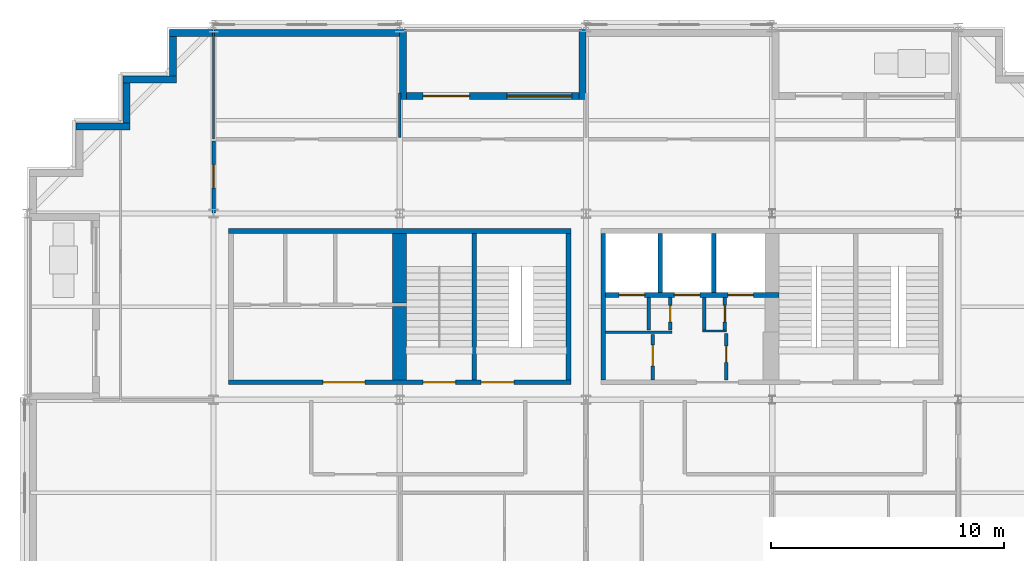
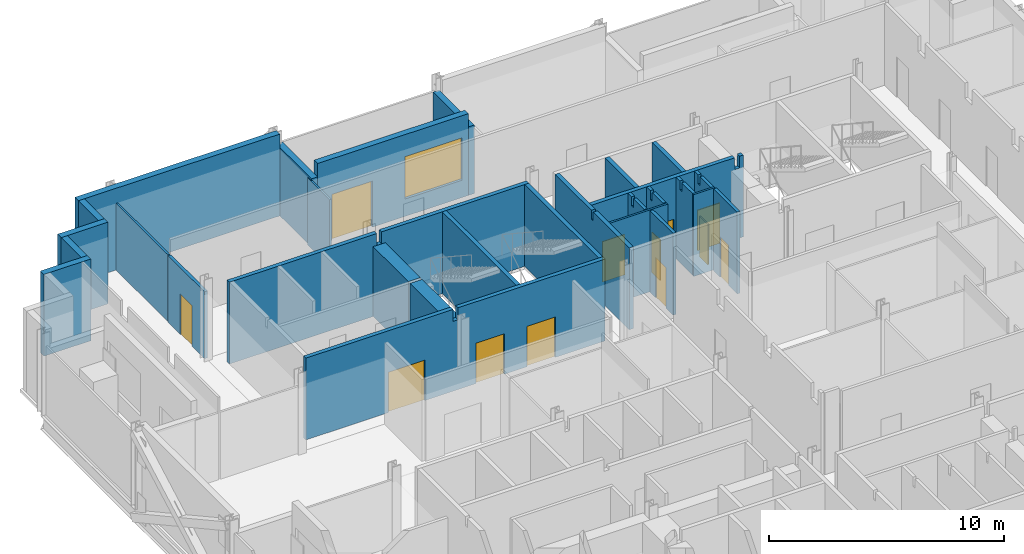
# One storey, part 10 of 15: 29 walls, 12 doors, 1 window, 13 openings.
"""IFC4 building model written with IfcOpenShell, lengths in metres."""

from ifc_helpers import new_model, si_unit, direction, frame, frame_2d, origin, place, context, subcontext, project, spatial, polyline, rectangle, outline, extrude, material, layer, layer_set, type_object, element, fill, save


model = new_model("IFC4")

# Units and contexts
model_context = context("Model", 3, precision=1e-05, world=origin(), true_north=direction((0.0, 1.0)))
body_context = subcontext(model_context, "Body", "Model", "MODEL_VIEW")
ifc_project = project(units=[si_unit("LENGTHUNIT", "METRE"), si_unit("AREAUNIT", "SQUARE_METRE"), si_unit("VOLUMEUNIT", "CUBIC_METRE"), si_unit("PLANEANGLEUNIT", "RADIAN"), si_unit("MASSUNIT", "GRAM", prefix="KILO")], contexts=[model_context])

# Site, building, storey
site_placement = place(None, origin())
site = spatial("IfcSite", under=ifc_project, at=site_placement, CompositionType="ELEMENT")
building_placement = place(site_placement, origin())
building = spatial("IfcBuilding", under=site, at=building_placement, Name="Immortelle Media Tower", CompositionType="ELEMENT")
storey_placement = place(building_placement, frame((0.0, 0.0, 87.60009765625)))
storey = spatial("IfcBuildingStorey", under=building, at=storey_placement, Name="L16", CompositionType="ELEMENT", Elevation=87.60009765625)

# Walls
ifc_material_1 = material(Name="Fire-rated gypsum board", Category="gypsum")
ifc_layer_1 = layer(ifc_material_1, 0.02490234375)
ifc_material_2 = material(Name="Steel ASTM A653 SS Gr 50 stud frame with mineral wool", Category="steel")
ifc_layer_2 = layer(ifc_material_2, 0.050048828125)
ifc_layer_3 = layer(ifc_material_1, 0.02490234375)
ifc_layer_set_1 = layer_set([ifc_layer_1, ifc_layer_2, ifc_layer_3], Name="Steel ASTM A653 SS Gr 50 stud frame with mineral wool")
wall_type_1 = type_object("IfcWallType", Name="Core partition 100", PredefinedType="PARTITIONING", material=ifc_layer_set_1)
wall_1_placement = place(storey_placement, frame((24.85009765625, 34.89990234375, 0.0), z_axis=(0.0, 0.0, 1.0), x_axis=(1.0, 0.0, 0.0)))
element("IfcWall", 1, at=wall_1_placement, inside=storey, type_object=wall_type_1, Name="Core partition NE", PredefinedType="PARTITIONING", context=body_context, shape_type="SweptSolid", body=[
    extrude(rectangle(XDim=2.849853515625, YDim=0.10009765625, at=frame_2d((1.4248046875, 0.0))), origin(), (0.0, 0.0, 1.0), 4.25),
])
wall_2_placement = place(storey_placement, frame((29.0, 34.949951171875, 0.0), z_axis=(0.0, 0.0, 1.0), x_axis=(1.0, 0.0, 0.0)))
element("IfcWall", 2, at=wall_2_placement, inside=storey, type_object=wall_type_1, Name="Core partition NE", PredefinedType="PARTITIONING", context=body_context, shape_type="SweptSolid", body=[
    extrude(rectangle(XDim=1.050048828125, YDim=0.10009765625, at=frame_2d((0.52490234375, 0.0))), origin(), (0.0, 0.0, 1.0), 4.25),
])
ifc_layer_4 = layer(ifc_material_1, 0.02490234375)
ifc_layer_5 = layer(ifc_material_2, 0.10009765625)
ifc_layer_6 = layer(ifc_material_1, 0.02490234375)
ifc_layer_set_2 = layer_set([ifc_layer_4, ifc_layer_5, ifc_layer_6], Name="Steel ASTM A653 SS Gr 50 stud frame with mineral wool")
wall_type_2 = type_object("IfcWallType", Name="Core partition 150", PredefinedType="PARTITIONING", material=ifc_layer_set_2)
wall_3_placement = place(storey_placement, frame((26.699951171875, 35.0, 0.0), z_axis=(0.0, 0.0, 1.0), x_axis=(0.0, 1.0, 0.0)))
element("IfcWall", 3, at=wall_3_placement, inside=storey, type_object=wall_type_2, Name="Core partition NE", PredefinedType="PARTITIONING", context=body_context, shape_type="SweptSolid", body=[
    extrude(outline(polyline([(0.0, 0.0), (1.39990234375, 0.0), (1.39990234375, 4.25), (1.08154296875, 4.25), (1.08056640625, 3.788818359375), (0.91943359375, 3.788818359375), (0.91845703125, 4.25), (0.0, 4.25), (0.0, 0.0)])), frame((0.0, 0.074951171875, 0.0), z_axis=(0.0, -1.0, 0.0), x_axis=(1.0, 0.0, 0.0)), (0.0, 0.0, 1.0), 0.14990234375),
])

# Wall, opening, door
wall_4_placement = place(storey_placement, frame((26.875, 32.85009765625, 0.0), z_axis=(0.0, 0.0, 1.0), x_axis=(0.0, 1.0, 0.0)))
wall_4 = element("IfcWall", 4, at=wall_4_placement, inside=storey, type_object=wall_type_2, Name="Core partition NE", PredefinedType="PARTITIONING", context=body_context, shape_type="SweptSolid", body=[
    extrude(rectangle(XDim=1.949951171875, YDim=0.14990234375, at=frame_2d((0.97509765625, 0.0))), origin(), (0.0, 0.0, 1.0), 4.25),
])
opening_1_placement = place(wall_4_placement, frame((0.60009765625, 0.0, 0.0)))
opening_1 = element("IfcOpeningElement", 5, at=opening_1_placement, cuts=wall_4, Name="Opening N5-K031", PredefinedType="OPENING", context=body_context, shape_type="SweptSolid", body=[
    extrude(rectangle(XDim=0.89990234375, YDim=2.10009765625, at=frame_2d((0.449951171875, 1.050048828125))), frame((0.0, 0.0849609375, 0.0), z_axis=(0.0, -1.0, 0.0), x_axis=(1.0, 0.0, 0.0)), (0.0, 0.0, 1.0), 0.169921875),
])
ifc_material_3 = material(Name="Galvanised steel door leaf and frame ASTM A653", Category="steel")
door_type_1 = type_object("IfcDoorType", Name="Service door 900 x 2100", OperationType="NOTDEFINED", PredefinedType="NOTDEFINED", material=ifc_material_3)
door_1_placement = place(opening_1_placement, origin())
door_1 = element("IfcDoor", 6, at=door_1_placement, inside=storey, type_object=door_type_1, Name="Service N5-K031", OperationType="SINGLE_SWING_LEFT", OverallHeight=2.10009765625, OverallWidth=0.89990234375, PredefinedType="NOTDEFINED", context=body_context, shape_type="SweptSolid", body=[
    extrude(rectangle(XDim=0.89990234375, YDim=2.10009765625, at=frame_2d((0.449951171875, 1.050048828125))), frame((0.0, 0.02490234375, 0.0), z_axis=(0.0, -1.0, 0.0), x_axis=(1.0, 0.0, 0.0)), (0.0, 0.0, 1.0), 0.050048828125),
])
fill(opening_1, door_1)

wall_5_placement = place(storey_placement, frame((27.625, 35.0, 0.0), z_axis=(0.0, 0.0, 1.0), x_axis=(0.0, 1.0, 0.0)))
wall_5 = element("IfcWall", 7, at=wall_5_placement, inside=storey, type_object=wall_type_2, Name="Core partition NE", PredefinedType="PARTITIONING", context=body_context, shape_type="SweptSolid", body=[
    extrude(outline(polyline([(0.0, 0.0), (1.39990234375, 0.0), (1.39990234375, 4.25), (1.08154296875, 4.25), (1.08056640625, 3.788818359375), (0.91943359375, 3.788818359375), (0.91845703125, 4.25), (0.0, 4.25), (0.0, 0.0)])), frame((0.0, 0.074951171875, 0.0), z_axis=(0.0, -1.0, 0.0), x_axis=(1.0, 0.0, 0.0)), (0.0, 0.0, 1.0), 0.14990234375),
])
opening_2_placement = place(wall_5_placement, frame((0.35009765625, 0.0, 0.0)))
opening_2 = element("IfcOpeningElement", 8, at=opening_2_placement, cuts=wall_5, Name="Opening N5-K032", PredefinedType="OPENING", context=body_context, shape_type="SweptSolid", body=[
    extrude(rectangle(XDim=0.699951171875, YDim=2.10009765625, at=frame_2d((0.35009765625, 1.050048828125))), frame((0.0, 0.0849609375, 0.0), z_axis=(0.0, -1.0, 0.0), x_axis=(1.0, 0.0, 0.0)), (0.0, 0.0, 1.0), 0.169921875),
])
door_type_2 = type_object("IfcDoorType", Name="Service door 700 x 2100", OperationType="NOTDEFINED", PredefinedType="NOTDEFINED", material=ifc_material_3)
door_2_placement = place(opening_2_placement, origin())
door_2 = element("IfcDoor", 9, at=door_2_placement, inside=storey, type_object=door_type_2, Name="Service N5-K032", OperationType="SINGLE_SWING_LEFT", OverallHeight=2.10009765625, OverallWidth=0.699951171875, PredefinedType="NOTDEFINED", context=body_context, shape_type="SweptSolid", body=[
    extrude(rectangle(XDim=0.699951171875, YDim=2.10009765625, at=frame_2d((0.35009765625, 1.050048828125))), frame((0.0, 0.02490234375, 0.0), z_axis=(0.0, -1.0, 0.0), x_axis=(1.0, 0.0, 0.0)), (0.0, 0.0, 1.0), 0.050048828125),
])
fill(opening_2, door_2)

# Wall
wall_6_placement = place(storey_placement, frame((29.074951171875, 35.0, 0.0), z_axis=(0.0, 0.0, 1.0), x_axis=(0.0, 1.0, 0.0)))
element("IfcWall", 10, at=wall_6_placement, inside=storey, type_object=wall_type_2, Name="Core partition NE", PredefinedType="PARTITIONING", context=body_context, shape_type="SweptSolid", body=[
    extrude(outline(polyline([(0.0, 0.0), (1.39990234375, 0.0), (1.39990234375, 4.25), (1.08154296875, 4.25), (1.08056640625, 3.788818359375), (0.91943359375, 3.788818359375), (0.91845703125, 4.25), (0.0, 4.25), (0.0, 0.0)])), frame((0.0, 0.074951171875, 0.0), z_axis=(0.0, -1.0, 0.0), x_axis=(1.0, 0.0, 0.0)), (0.0, 0.0, 1.0), 0.14990234375),
])

# Wall, opening, door
wall_7_placement = place(storey_placement, frame((29.97509765625, 35.0, 0.0), z_axis=(0.0, 0.0, 1.0), x_axis=(0.0, 1.0, 0.0)))
wall_7 = element("IfcWall", 11, at=wall_7_placement, inside=storey, type_object=wall_type_2, Name="Core partition NE", PredefinedType="PARTITIONING", context=body_context, shape_type="SweptSolid", body=[
    extrude(outline(polyline([(0.0, 0.0), (1.39990234375, 0.0), (1.39990234375, 4.25), (1.08154296875, 4.25), (1.08056640625, 3.788818359375), (0.91943359375, 3.788818359375), (0.91845703125, 4.25), (0.0, 4.25), (0.0, 0.0)])), frame((0.0, 0.074951171875, 0.0), z_axis=(0.0, -1.0, 0.0), x_axis=(1.0, 0.0, 0.0)), (0.0, 0.0, 1.0), 0.14990234375),
])
opening_3_placement = place(wall_7_placement, frame((1.050048828125, 0.0, 0.0), z_axis=(0.0, 0.0, 1.0), x_axis=(-1.0, 0.0, 0.0)))
opening_3 = element("IfcOpeningElement", 12, at=opening_3_placement, cuts=wall_7, Name="Opening N5-K035", PredefinedType="OPENING", context=body_context, shape_type="SweptSolid", body=[
    extrude(rectangle(XDim=0.699951171875, YDim=2.10009765625, at=frame_2d((0.35009765625, 1.050048828125))), frame((0.0, 0.0849609375, 0.0), z_axis=(0.0, -1.0, 0.0), x_axis=(1.0, 0.0, 0.0)), (0.0, 0.0, 1.0), 0.169921875),
])
door_3_placement = place(opening_3_placement, origin())
door_3 = element("IfcDoor", 13, at=door_3_placement, inside=storey, type_object=door_type_2, Name="Service N5-K035", OperationType="SINGLE_SWING_RIGHT", OverallHeight=2.10009765625, OverallWidth=0.699951171875, PredefinedType="NOTDEFINED", context=body_context, shape_type="SweptSolid", body=[
    extrude(rectangle(XDim=0.699951171875, YDim=2.10009765625, at=frame_2d((0.35009765625, 1.050048828125))), frame((0.0, 0.02490234375, 0.0), z_axis=(0.0, -1.0, 0.0), x_axis=(1.0, 0.0, 0.0)), (0.0, 0.0, 1.0), 0.050048828125),
])
fill(opening_3, door_3)

wall_8_placement = place(storey_placement, frame((30.02490234375, 32.85009765625, 0.0), z_axis=(0.0, 0.0, 1.0), x_axis=(0.0, 1.0, 0.0)))
wall_8 = element("IfcWall", 14, at=wall_8_placement, inside=storey, type_object=wall_type_2, Name="Core partition NE", PredefinedType="PARTITIONING", context=body_context, shape_type="SweptSolid", body=[
    extrude(rectangle(XDim=2.0, YDim=0.14990234375, at=frame_2d((1.0, 0.0))), origin(), (0.0, 0.0, 1.0), 4.25),
])
opening_4_placement = place(wall_8_placement, frame((1.449951171875, 0.0, 0.0), z_axis=(0.0, 0.0, 1.0), x_axis=(-1.0, 0.0, 0.0)))
opening_4 = element("IfcOpeningElement", 15, at=opening_4_placement, cuts=wall_8, Name="Opening N5-K036", PredefinedType="OPENING", context=body_context, shape_type="SweptSolid", body=[
    extrude(rectangle(XDim=0.699951171875, YDim=2.10009765625, at=frame_2d((0.35009765625, 1.050048828125))), frame((0.0, 0.0849609375, 0.0), z_axis=(0.0, -1.0, 0.0), x_axis=(1.0, 0.0, 0.0)), (0.0, 0.0, 1.0), 0.169921875),
])
door_4_placement = place(opening_4_placement, origin())
door_4 = element("IfcDoor", 16, at=door_4_placement, inside=storey, type_object=door_type_2, Name="Service N5-K036", OperationType="SINGLE_SWING_RIGHT", OverallHeight=2.10009765625, OverallWidth=0.699951171875, PredefinedType="NOTDEFINED", context=body_context, shape_type="SweptSolid", body=[
    extrude(rectangle(XDim=0.699951171875, YDim=2.10009765625, at=frame_2d((0.35009765625, 1.050048828125))), frame((0.0, 0.02490234375, 0.0), z_axis=(0.0, -1.0, 0.0), x_axis=(1.0, 0.0, 0.0)), (0.0, 0.0, 1.0), 0.050048828125),
])
fill(opening_4, door_4)

# Wall
ifc_layer_7 = layer(ifc_material_1, 0.03759765625)
ifc_layer_8 = layer(ifc_material_2, 0.125)
ifc_layer_9 = layer(ifc_material_1, 0.03759765625)
ifc_layer_set_3 = layer_set([ifc_layer_7, ifc_layer_8, ifc_layer_9], Name="Steel ASTM A653 SS Gr 50 stud frame with mineral wool")
wall_type_3 = type_object("IfcWallType", Name="Core shaft wall 200", PredefinedType="PARTITIONING", material=ifc_layer_set_3)
wall_9_placement = place(storey_placement, frame((24.75, 32.85009765625, 0.0), z_axis=(0.0, 0.0, 1.0), x_axis=(0.0, 1.0, 0.0)))
element("IfcWall", 17, at=wall_9_placement, inside=storey, type_object=wall_type_3, Name="Core shaft wall NE", PredefinedType="PARTITIONING", context=body_context, shape_type="SweptSolid", body=[
    extrude(outline(polyline([(0.0, 0.0), (6.2998046875, 0.0), (6.300048828125, 4.25), (3.2314453125, 4.25), (3.23046875, 3.788818359375), (3.069580078125, 3.788818359375), (3.068603515625, 4.25), (0.0, 4.25), (0.0, 0.0)])), frame((0.0, 0.10009765625, 0.0), z_axis=(0.0, -1.0, 0.0), x_axis=(1.0, 0.0, 0.0)), (0.0, 0.0, 1.0), 0.199951171875),
])

# Wall, openings, doors
wall_10_placement = place(storey_placement, frame((24.85009765625, 36.5, 0.0), z_axis=(0.0, 0.0, 1.0), x_axis=(1.0, 0.0, 0.0)))
wall_10 = element("IfcWall", 18, at=wall_10_placement, inside=storey, type_object=wall_type_3, Name="Core shaft wall NE", PredefinedType="PARTITIONING", context=body_context, shape_type="SweptSolid", body=[
    extrude(outline(polyline([(0.0, 0.0), (7.449951171875, 0.0), (7.449951171875, 4.25), (7.26953125, 4.25), (7.2685546875, 3.6318359375), (7.031494140625, 3.6318359375), (7.030517578125, 4.25), (0.0, 4.25), (0.0, 0.0)])), frame((0.0, 0.10009765625, 0.0), z_axis=(0.0, -1.0, 0.0), x_axis=(1.0, 0.0, 0.0)), (0.0, 0.0, 1.0), 0.199951171875),
])
opening_5_placement = place(wall_10_placement, frame((0.574951171875, 0.0, 0.0)))
opening_5 = element("IfcOpeningElement", 19, at=opening_5_placement, cuts=wall_10, Name="Opening LD", PredefinedType="OPENING", context=body_context, shape_type="SweptSolid", body=[
    extrude(rectangle(XDim=1.10009765625, YDim=2.10009765625, at=frame_2d((0.550048828125, 1.050048828125))), frame((0.0, 0.10986328125, 0.0), z_axis=(0.0, -1.0, 0.0), x_axis=(1.0, 0.0, 0.0)), (0.0, 0.0, 1.0), 0.219970703125),
])
opening_6_placement = place(wall_10_placement, frame((2.949951171875, 0.0, 0.0)))
opening_6 = element("IfcOpeningElement", 20, at=opening_6_placement, cuts=wall_10, Name="Opening LD", PredefinedType="OPENING", context=body_context, shape_type="SweptSolid", body=[
    extrude(rectangle(XDim=1.10009765625, YDim=2.10009765625, at=frame_2d((0.550048828125, 1.050048828125))), frame((0.0, 0.10986328125, 0.0), z_axis=(0.0, -1.0, 0.0), x_axis=(1.0, 0.0, 0.0)), (0.0, 0.0, 1.0), 0.219970703125),
])
opening_7_placement = place(wall_10_placement, frame((5.25, 0.0, 0.0)))
opening_7 = element("IfcOpeningElement", 21, at=opening_7_placement, cuts=wall_10, Name="Opening LD", PredefinedType="OPENING", context=body_context, shape_type="SweptSolid", body=[
    extrude(rectangle(XDim=1.10009765625, YDim=2.10009765625, at=frame_2d((0.550048828125, 1.050048828125))), frame((0.0, 0.10986328125, 0.0), z_axis=(0.0, -1.0, 0.0), x_axis=(1.0, 0.0, 0.0)), (0.0, 0.0, 1.0), 0.219970703125),
])
ifc_material_4 = material(Name="Stainless steel AISI 304", Category="steel")
door_type_3 = type_object("IfcDoorType", Name="Landing door 1100 x 2100", OperationType="SLIDING_TO_LEFT", PredefinedType="NOTDEFINED", material=ifc_material_4)
door_5_placement = place(opening_5_placement, origin())
door_5 = element("IfcDoor", 22, at=door_5_placement, inside=storey, type_object=door_type_3, Name="Landing door LR1 L16", OperationType="SLIDING_TO_LEFT", OverallHeight=2.10009765625, OverallWidth=1.10009765625, PredefinedType="NOTDEFINED", context=body_context, shape_type="SweptSolid", body=[
    extrude(rectangle(XDim=1.10009765625, YDim=2.10009765625, at=frame_2d((0.550048828125, 1.050048828125))), frame((0.0, 0.02490234375, 0.0), z_axis=(0.0, -1.0, 0.0), x_axis=(1.0, 0.0, 0.0)), (0.0, 0.0, 1.0), 0.050048828125),
])
fill(opening_5, door_5)
door_6_placement = place(opening_6_placement, origin())
door_6 = element("IfcDoor", 23, at=door_6_placement, inside=storey, type_object=door_type_3, Name="Landing door LR2 L16", OperationType="SLIDING_TO_LEFT", OverallHeight=2.10009765625, OverallWidth=1.10009765625, PredefinedType="NOTDEFINED", context=body_context, shape_type="SweptSolid", body=[
    extrude(rectangle(XDim=1.10009765625, YDim=2.10009765625, at=frame_2d((0.550048828125, 1.050048828125))), frame((0.0, 0.02490234375, 0.0), z_axis=(0.0, -1.0, 0.0), x_axis=(1.0, 0.0, 0.0)), (0.0, 0.0, 1.0), 0.050048828125),
])
fill(opening_6, door_6)
door_7_placement = place(opening_7_placement, origin())
door_7 = element("IfcDoor", 24, at=door_7_placement, inside=storey, type_object=door_type_3, Name="Landing door LR3 L16", OperationType="SLIDING_TO_LEFT", OverallHeight=2.10009765625, OverallWidth=1.10009765625, PredefinedType="NOTDEFINED", context=body_context, shape_type="SweptSolid", body=[
    extrude(rectangle(XDim=1.10009765625, YDim=2.10009765625, at=frame_2d((0.550048828125, 1.050048828125))), frame((0.0, 0.02490234375, 0.0), z_axis=(0.0, -1.0, 0.0), x_axis=(1.0, 0.0, 0.0)), (0.0, 0.0, 1.0), 0.050048828125),
])
fill(opening_7, door_7)

# Walls
for number, where, z_axis, x_axis, name in (
    (25, (27.199951171875, 36.60009765625, 0.0), (0.0, 0.0, 1.0), (0.0, 1.0, 0.0), "Core shaft wall NE"),
    (26, (29.5, 36.60009765625, 0.0), (0.0, 0.0, 1.0), (0.0, 1.0, 0.0), "Core shaft wall NE"),
):
    element("IfcWall", number, at=place(storey_placement, frame(where, z_axis=z_axis, x_axis=x_axis)), inside=storey, type_object=wall_type_3, Name=name, PredefinedType="PARTITIONING", context=body_context, shape_type="SweptSolid", body=[
        extrude(rectangle(XDim=2.5498046875, YDim=0.199951171875, at=frame_2d((1.27490234375, 0.0))), origin(), (0.0, 0.0, 1.0), 4.25),
    ])

# Wall, opening, door
ifc_layer_10 = layer(ifc_material_1, 0.012451171875)
ifc_layer_11 = layer(ifc_material_2, 0.125)
ifc_layer_12 = layer(ifc_material_1, 0.012451171875)
ifc_layer_set_4 = layer_set([ifc_layer_10, ifc_layer_11, ifc_layer_12], Name="Steel ASTM A653 SS Gr 50 stud frame with mineral wool")
wall_type_4 = type_object("IfcWallType", Name="Corridor wall 150", PredefinedType="PARTITIONING", material=ifc_layer_set_4)
wall_11_placement = place(storey_placement, frame((8.0, 40.030029296875, 0.0), z_axis=(0.0, 0.0, 1.0), x_axis=(0.0, 1.0, 0.0)))
wall_11 = element("IfcWall", 27, at=wall_11_placement, inside=storey, type_object=wall_type_4, Name="Partition L16-050", PredefinedType="PARTITIONING", context=body_context, shape_type="SweptSolid", body=[
    extrude(rectangle(XDim=3.094970703125, YDim=0.14990234375, at=frame_2d((1.54736328125, 0.0))), origin(), (0.0, 0.0, 1.0), 3.469970703125),
])
opening_8_placement = place(wall_11_placement, frame((1.070068359375, 0.0, 0.0)))
opening_8 = element("IfcOpeningElement", 28, at=opening_8_placement, cuts=wall_11, Name="Opening N5-F024", PredefinedType="OPENING", context=body_context, shape_type="SweptSolid", body=[
    extrude(rectangle(XDim=1.0, YDim=2.10009765625, at=frame_2d((0.5, 1.050048828125))), frame((0.0, 0.0849609375, 0.0), z_axis=(0.0, -1.0, 0.0), x_axis=(1.0, 0.0, 0.0)), (0.0, 0.0, 1.0), 0.169921875),
])
ifc_material_5 = material(Name="Timber veneered door leaf, galvanised steel frame ASTM A653", Category="steel")
door_type_4 = type_object("IfcDoorType", Name="Room door 1000 x 2100", OperationType="NOTDEFINED", PredefinedType="DOOR", material=ifc_material_5)
door_8_placement = place(opening_8_placement, origin())
door_8 = element("IfcDoor", 29, at=door_8_placement, inside=storey, type_object=door_type_4, Name="Door N5-F024", OperationType="SINGLE_SWING_RIGHT", OverallHeight=2.10009765625, OverallWidth=1.0, PredefinedType="DOOR", context=body_context, shape_type="SweptSolid", body=[
    extrude(rectangle(XDim=1.0, YDim=2.10009765625, at=frame_2d((0.5, 1.050048828125))), frame((0.0, 0.02490234375, 0.0), z_axis=(0.0, -1.0, 0.0), x_axis=(1.0, 0.0, 0.0)), (0.0, 0.0, 1.0), 0.050048828125),
])
fill(opening_8, door_8)

# Wall, openings, door, window
ifc_material_6 = material(Name="Pale aluminium cladding panel", Category="aluminium")
ifc_layer_13 = layer(ifc_material_6, 0.030029296875)
ifc_layer_14 = layer(ifc_material_2, 0.257568359375)
ifc_material_7 = material(Name="Moisture-resistant gypsum board", Category="gypsum")
ifc_layer_15 = layer(ifc_material_7, 0.012451171875)
ifc_layer_set_5 = layer_set([ifc_layer_13, ifc_layer_14, ifc_layer_15], Name="Steel ASTM A653 SS Gr 50 stud frame with mineral wool")
wall_type_5 = type_object("IfcWallType", Name="Facade wall 300", PredefinedType="SOLIDWALL", material=ifc_layer_set_5)
wall_12_placement = place(storey_placement, frame((23.699951171875, 45.050048828125, 0.0), z_axis=(0.0, 0.0, 1.0), x_axis=(-1.0, 0.0, 0.0)))
wall_12 = element("IfcWall", 30, at=wall_12_placement, inside=storey, type_object=wall_type_5, Name="Loggia wall L16 N21", PredefinedType="SOLIDWALL", context=body_context, shape_type="SweptSolid", body=[
    extrude(rectangle(XDim=7.39990234375, YDim=0.300048828125, at=frame_2d((3.699951171875, 0.0))), origin(), (0.0, 0.0, 1.0), 4.25),
])
opening_9_placement = place(wall_12_placement, frame((0.300048828125, 0.0, 0.89990234375)))
opening_9 = element("IfcOpeningElement", 31, at=opening_9_placement, cuts=wall_12, Name="Opening W1", PredefinedType="OPENING", context=body_context, shape_type="SweptSolid", body=[
    extrude(rectangle(XDim=2.800048828125, YDim=2.199951171875, at=frame_2d((1.39990234375, 1.10009765625))), frame((0.0, 0.159912109375, 0.0), z_axis=(0.0, -1.0, 0.0), x_axis=(1.0, 0.0, 0.0)), (0.0, 0.0, 1.0), 0.320068359375),
])
opening_10_placement = place(wall_12_placement, frame((4.699951171875, 0.0, 0.0)))
opening_10 = element("IfcOpeningElement", 32, at=opening_10_placement, cuts=wall_12, Name="Opening N5-E008", PredefinedType="OPENING", context=body_context, shape_type="SweptSolid", body=[
    extrude(rectangle(XDim=2.0, YDim=2.39990234375, at=frame_2d((1.0, 1.199951171875))), frame((0.0, 0.159912109375, 0.0), z_axis=(0.0, -1.0, 0.0), x_axis=(1.0, 0.0, 0.0)), (0.0, 0.0, 1.0), 0.320068359375),
])
ifc_material_8 = material(Name="Aluminium frame, glazed leaves", Category="aluminium")
door_type_5 = type_object("IfcDoorType", Name="Loggia door 2000 x 2400", OperationType="DOUBLE_DOOR_SINGLE_SWING", PredefinedType="DOOR", material=ifc_material_8)
door_9_placement = place(opening_10_placement, origin())
door_9 = element("IfcDoor", 33, at=door_9_placement, inside=storey, type_object=door_type_5, Name="Door N5-E008", OperationType="DOUBLE_DOOR_SINGLE_SWING", OverallHeight=2.39990234375, OverallWidth=2.0, PredefinedType="DOOR", context=body_context, shape_type="SweptSolid", body=[
    extrude(rectangle(XDim=2.0, YDim=2.39990234375, at=frame_2d((1.0, 1.199951171875))), frame((0.0, 0.02490234375, 0.0), z_axis=(0.0, -1.0, 0.0), x_axis=(1.0, 0.0, 0.0)), (0.0, 0.0, 1.0), 0.050048828125),
])
fill(opening_10, door_9)
ifc_material_9 = material(Name="Aluminium frame", Category="aluminium")
window_type = type_object("IfcWindowType", Name="Window 2800 x 2200", PartitioningType="SINGLE_PANEL", PredefinedType="WINDOW", material=ifc_material_9)
window_placement = place(opening_9_placement, origin())
window = element("IfcWindow", 34, at=window_placement, inside=storey, type_object=window_type, Name="Window L16 L16-R21-B2", OverallHeight=2.199951171875, OverallWidth=2.800048828125, PartitioningType="SINGLE_PANEL", PredefinedType="WINDOW", context=body_context, shape_type="SweptSolid", body=[
    extrude(rectangle(XDim=2.800048828125, YDim=2.199951171875, at=frame_2d((1.39990234375, 1.10009765625))), frame((0.0, 0.030029296875, 0.0), z_axis=(0.0, -1.0, 0.0), x_axis=(1.0, 0.0, 0.0)), (0.0, 0.0, 1.0), 0.06005859375),
])
fill(opening_9, window)

# Walls
for number, where, z_axis, x_axis, name in (
    (35, (23.85009765625, 47.89990234375, 0.0), (0.0, 0.0, 1.0), (0.0, -1.0, 0.0), "Loggia cheek wall L16 N"),
    (36, (16.14990234375, 47.89990234375, 0.0), (0.0, 0.0, 1.0), (0.0, -1.0, 0.0), "Loggia cheek wall L16 N"),
):
    element("IfcWall", number, at=place(storey_placement, frame(where, z_axis=z_axis, x_axis=x_axis)), inside=storey, type_object=wall_type_5, Name=name, PredefinedType="SOLIDWALL", context=body_context, shape_type="SweptSolid", body=[
        extrude(rectangle(XDim=3.0, YDim=0.300048828125, at=frame_2d((1.5, 0.0))), origin(), (0.0, 0.0, 1.0), 3.555908203125),
    ])
wall_13_placement = place(storey_placement, frame((16.0, 47.75, 0.0), z_axis=(0.0, 0.0, 1.0), x_axis=(-1.0, 0.0, 0.0)))
element("IfcWall", 37, at=wall_13_placement, inside=storey, type_object=wall_type_5, Name="Facade wall L16 N21", PredefinedType="SOLIDWALL", context=body_context, shape_type="SweptSolid", body=[
    extrude(rectangle(XDim=9.89990234375, YDim=0.300048828125, at=frame_2d((4.949951171875, 0.0))), origin(), (0.0, 0.0, 1.0), 4.25),
])
wall_14_placement = place(storey_placement, frame((6.25, 47.60009765625, 0.0), z_axis=(0.0, 0.0, 1.0), x_axis=(0.0, -1.0, 0.0)))
element("IfcWall", 38, at=wall_14_placement, inside=storey, type_object=wall_type_5, Name="Facade wall L16 W22", PredefinedType="SOLIDWALL", context=body_context, shape_type="SweptSolid", body=[
    extrude(rectangle(XDim=1.7001953125, YDim=0.300048828125, at=frame_2d((0.85009765625, 0.0))), origin(), (0.0, 0.0, 1.0), 4.25),
])
wall_15_placement = place(storey_placement, frame((6.39990234375, 45.75, 0.0), z_axis=(0.0, 0.0, 1.0), x_axis=(-1.0, 0.0, 0.0)))
element("IfcWall", 39, at=wall_15_placement, inside=storey, type_object=wall_type_5, Name="Facade wall L16 N23", PredefinedType="SOLIDWALL", context=body_context, shape_type="SweptSolid", body=[
    extrude(rectangle(XDim=2.2998046875, YDim=0.300048828125, at=frame_2d((1.14990234375, 0.0))), origin(), (0.0, 0.0, 1.0), 4.25),
])
wall_16_placement = place(storey_placement, frame((4.25, 45.60009765625, 0.0), z_axis=(0.0, 0.0, 1.0), x_axis=(0.0, -1.0, 0.0)))
element("IfcWall", 40, at=wall_16_placement, inside=storey, type_object=wall_type_5, Name="Facade wall L16 W24", PredefinedType="SOLIDWALL", context=body_context, shape_type="SweptSolid", body=[
    extrude(rectangle(XDim=1.7001953125, YDim=0.300048828125, at=frame_2d((0.85009765625, 0.0))), origin(), (0.0, 0.0, 1.0), 4.25),
])
wall_17_placement = place(storey_placement, frame((4.39990234375, 43.75, 0.0), z_axis=(0.0, 0.0, 1.0), x_axis=(-1.0, 0.0, 0.0)))
element("IfcWall", 41, at=wall_17_placement, inside=storey, type_object=wall_type_5, Name="Facade wall L16 N25", PredefinedType="SOLIDWALL", context=body_context, shape_type="SweptSolid", body=[
    extrude(rectangle(XDim=2.2998046875, YDim=0.300048828125, at=frame_2d((1.14990234375, 0.0))), origin(), (0.0, 0.0, 1.0), 4.25),
])
ifc_material_10 = material(Name="Gypsum board", Category="gypsum")
ifc_layer_16 = layer(ifc_material_10, 0.012451171875)
ifc_layer_17 = layer(ifc_material_2, 0.074951171875)
ifc_layer_18 = layer(ifc_material_10, 0.012451171875)
ifc_layer_set_6 = layer_set([ifc_layer_16, ifc_layer_17, ifc_layer_18], Name="Steel ASTM A653 SS Gr 50 stud frame with mineral wool")
wall_type_6 = type_object("IfcWallType", Name="Partition 100", PredefinedType="PARTITIONING", material=ifc_layer_set_6)
wall_18_placement = place(storey_placement, frame((8.0, 43.199951171875, 0.0), z_axis=(0.0, 0.0, 1.0), x_axis=(0.0, 1.0, 0.0)))
element("IfcWall", 42, at=wall_18_placement, inside=storey, type_object=wall_type_6, Name="Partition L16-052", PredefinedType="PARTITIONING", context=body_context, shape_type="SweptSolid", body=[
    extrude(rectangle(XDim=4.670166015625, YDim=0.10009765625, at=frame_2d((2.3349609375, 0.0))), origin(), (0.0, 0.0, 1.0), 3.469970703125),
])
wall_19_placement = place(storey_placement, frame((16.0, 43.27490234375, 0.0), z_axis=(0.0, 0.0, 1.0), x_axis=(0.0, 1.0, 0.0)))
element("IfcWall", 43, at=wall_19_placement, inside=storey, type_object=wall_type_6, Name="Partition L16-053", PredefinedType="PARTITIONING", context=body_context, shape_type="SweptSolid", body=[
    extrude(rectangle(XDim=1.89501953125, YDim=0.10009765625, at=frame_2d((0.947509765625, 0.0))), origin(), (0.0, 0.0, 1.0), 3.469970703125),
])

# Wall, openings, doors
ifc_material_11 = material(Name="Concrete C60", Category="concrete")
ifc_layer_19 = layer(ifc_material_11, 0.199951171875)
ifc_layer_set_7 = layer_set([ifc_layer_19], Name="Concrete C60")
wall_type_7 = type_object("IfcWallType", Name="Stair shaft wall 200", PredefinedType="PARTITIONING", material=ifc_layer_set_7)
wall_20_placement = place(storey_placement, frame((8.64990234375, 32.75, 0.0), z_axis=(0.0, 0.0, 1.0), x_axis=(1.0, 0.0, 0.0)))
wall_20 = element("IfcWall", 44, at=wall_20_placement, inside=storey, type_object=wall_type_7, Name="Stair shaft wall NW", PredefinedType="PARTITIONING", context=body_context, shape_type="SweptSolid", body=[
    extrude(outline(polyline([(0.0, 0.0), (14.7001953125, 0.0), (14.699951171875, 4.25), (7.469482421875, 4.25), (7.468505859375, 3.6318359375), (7.2314453125, 3.6318359375), (7.23046875, 4.25), (0.0, 4.25), (0.0, 0.0)])), frame((0.0, 0.10009765625, 0.0), z_axis=(0.0, -1.0, 0.0), x_axis=(1.0, 0.0, 0.0)), (0.0, 0.0, 1.0), 0.199951171875),
])
opening_11_placement = place(wall_20_placement, frame((4.050048828125, 0.0, 0.0)))
opening_11 = element("IfcOpeningElement", 45, at=opening_11_placement, cuts=wall_20, Name="Opening N5-K026", PredefinedType="OPENING", context=body_context, shape_type="SweptSolid", body=[
    extrude(rectangle(XDim=1.800048828125, YDim=2.10009765625, at=frame_2d((0.89990234375, 1.050048828125))), frame((0.0, 0.10986328125, 0.0), z_axis=(0.0, -1.0, 0.0), x_axis=(1.0, 0.0, 0.0)), (0.0, 0.0, 1.0), 0.219970703125),
])
opening_12_placement = place(wall_20_placement, frame((8.35009765625, 0.0, 0.0)))
opening_12 = element("IfcOpeningElement", 46, at=opening_12_placement, cuts=wall_20, Name="Opening N5-K028", PredefinedType="OPENING", context=body_context, shape_type="SweptSolid", body=[
    extrude(rectangle(XDim=1.39990234375, YDim=2.10009765625, at=frame_2d((0.699951171875, 1.050048828125))), frame((0.0, 0.10986328125, 0.0), z_axis=(0.0, -1.0, 0.0), x_axis=(1.0, 0.0, 0.0)), (0.0, 0.0, 1.0), 0.219970703125),
])
opening_13_placement = place(wall_20_placement, frame((10.85009765625, 0.0, 0.0)))
opening_13 = element("IfcOpeningElement", 47, at=opening_13_placement, cuts=wall_20, Name="Opening N5-K029", PredefinedType="OPENING", context=body_context, shape_type="SweptSolid", body=[
    extrude(rectangle(XDim=1.39990234375, YDim=2.10009765625, at=frame_2d((0.699951171875, 1.050048828125))), frame((0.0, 0.10986328125, 0.0), z_axis=(0.0, -1.0, 0.0), x_axis=(1.0, 0.0, 0.0)), (0.0, 0.0, 1.0), 0.219970703125),
])
door_type_6 = type_object("IfcDoorType", Name="Lift lobby door 1800 x 2100", OperationType="DOUBLE_DOOR_SINGLE_SWING", PredefinedType="NOTDEFINED", material=ifc_material_3)
door_10_placement = place(opening_11_placement, origin())
door_10 = element("IfcDoor", 48, at=door_10_placement, inside=storey, type_object=door_type_6, Name="Lift lobby N5-K026", OperationType="DOUBLE_DOOR_SINGLE_SWING", OverallHeight=2.10009765625, OverallWidth=1.800048828125, PredefinedType="NOTDEFINED", context=body_context, shape_type="SweptSolid", body=[
    extrude(rectangle(XDim=1.800048828125, YDim=2.10009765625, at=frame_2d((0.89990234375, 1.050048828125))), frame((0.0, 0.02490234375, 0.0), z_axis=(0.0, -1.0, 0.0), x_axis=(1.0, 0.0, 0.0)), (0.0, 0.0, 1.0), 0.050048828125),
])
fill(opening_11, door_10)
door_type_7 = type_object("IfcDoorType", Name="Stair door 1400 x 2100", OperationType="DOUBLE_DOOR_SINGLE_SWING", PredefinedType="NOTDEFINED", material=ifc_material_3)
door_11_placement = place(opening_12_placement, origin())
door_11 = element("IfcDoor", 49, at=door_11_placement, inside=storey, type_object=door_type_7, Name="Stair N5-K028", OperationType="DOUBLE_DOOR_SINGLE_SWING", OverallHeight=2.10009765625, OverallWidth=1.39990234375, PredefinedType="NOTDEFINED", context=body_context, shape_type="SweptSolid", body=[
    extrude(rectangle(XDim=1.39990234375, YDim=2.10009765625, at=frame_2d((0.699951171875, 1.050048828125))), frame((0.0, 0.02490234375, 0.0), z_axis=(0.0, -1.0, 0.0), x_axis=(1.0, 0.0, 0.0)), (0.0, 0.0, 1.0), 0.050048828125),
])
fill(opening_12, door_11)
door_12_placement = place(opening_13_placement, origin())
door_12 = element("IfcDoor", 50, at=door_12_placement, inside=storey, type_object=door_type_7, Name="Stair N5-K029", OperationType="DOUBLE_DOOR_SINGLE_SWING", OverallHeight=2.10009765625, OverallWidth=1.39990234375, PredefinedType="NOTDEFINED", context=body_context, shape_type="SweptSolid", body=[
    extrude(rectangle(XDim=1.39990234375, YDim=2.10009765625, at=frame_2d((0.699951171875, 1.050048828125))), frame((0.0, 0.02490234375, 0.0), z_axis=(0.0, -1.0, 0.0), x_axis=(1.0, 0.0, 0.0)), (0.0, 0.0, 1.0), 0.050048828125),
])
fill(opening_13, door_12)

# Walls
wall_21_placement = place(storey_placement, frame((8.64990234375, 39.25, 0.0), z_axis=(0.0, 0.0, 1.0), x_axis=(1.0, 0.0, 0.0)))
element("IfcWall", 51, at=wall_21_placement, inside=storey, type_object=wall_type_7, Name="Stair shaft wall NW", PredefinedType="PARTITIONING", context=body_context, shape_type="SweptSolid", body=[
    extrude(outline(polyline([(0.0, 0.0), (14.7001953125, 0.0), (14.699951171875, 4.25), (7.469482421875, 4.25), (7.468505859375, 3.6318359375), (7.2314453125, 3.6318359375), (7.23046875, 4.25), (0.0, 4.25), (0.0, 0.0)])), frame((0.0, 0.10009765625, 0.0), z_axis=(0.0, -1.0, 0.0), x_axis=(1.0, 0.0, 0.0)), (0.0, 0.0, 1.0), 0.199951171875),
])
for number, where, z_axis, x_axis, name in (
    (52, (19.199951171875, 32.85009765625, 0.0), (0.0, 0.0, 1.0), (0.0, 1.0, 0.0), "Stair shaft wall NW"),
    (53, (23.25, 32.85009765625, 0.0), (0.0, 0.0, 1.0), (0.0, 1.0, 0.0), "Stair shaft wall NW"),
):
    element("IfcWall", number, at=place(storey_placement, frame(where, z_axis=z_axis, x_axis=x_axis)), inside=storey, type_object=wall_type_7, Name=name, PredefinedType="PARTITIONING", context=body_context, shape_type="SweptSolid", body=[
        extrude(rectangle(XDim=6.2998046875, YDim=0.199951171875, at=frame_2d((3.14990234375, 0.0))), origin(), (0.0, 0.0, 1.0), 4.25),
    ])
ifc_layer_20 = layer(ifc_material_11, 0.60009765625)
ifc_layer_set_8 = layer_set([ifc_layer_20], Name="Concrete C60")
wall_type_8 = type_object("IfcWallType", Name="Stair shaft wall 600", PredefinedType="PARTITIONING", material=ifc_layer_set_8)
wall_22_placement = place(storey_placement, frame((16.0, 32.85009765625, 0.0), z_axis=(0.0, 0.0, 1.0), x_axis=(0.0, 1.0, 0.0)))
element("IfcWall", 54, at=wall_22_placement, inside=storey, type_object=wall_type_8, Name="Stair shaft wall NW", PredefinedType="PARTITIONING", context=body_context, shape_type="SweptSolid", body=[
    extrude(rectangle(XDim=3.14990234375, YDim=0.60009765625, at=frame_2d((1.574951171875, 0.0))), origin(), (0.0, 0.0, 1.0), 3.6318359375),
])
wall_23_placement = place(storey_placement, frame((16.0, 36.14990234375, 0.0), z_axis=(0.0, 0.0, 1.0), x_axis=(0.0, 1.0, 0.0)))
element("IfcWall", 55, at=wall_23_placement, inside=storey, type_object=wall_type_8, Name="Stair shaft wall NW", PredefinedType="PARTITIONING", context=body_context, shape_type="SweptSolid", body=[
    extrude(rectangle(XDim=3.0, YDim=0.60009765625, at=frame_2d((1.5, 0.0))), origin(), (0.0, 0.0, 1.0), 3.6318359375),
])

save(model, "model.ifc")
